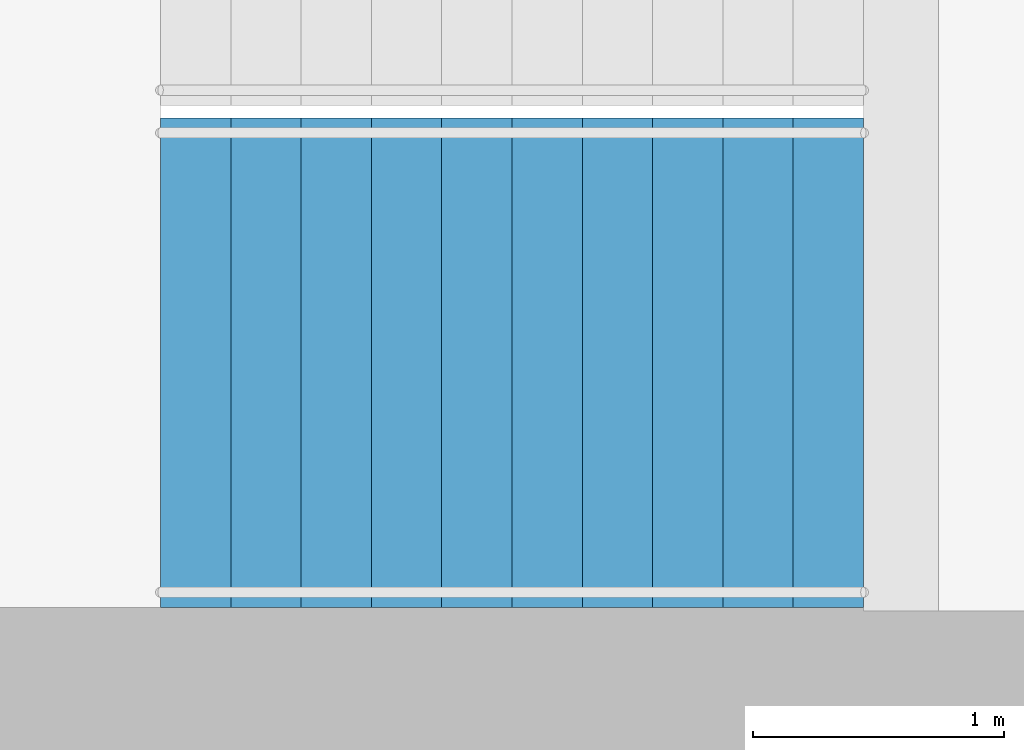
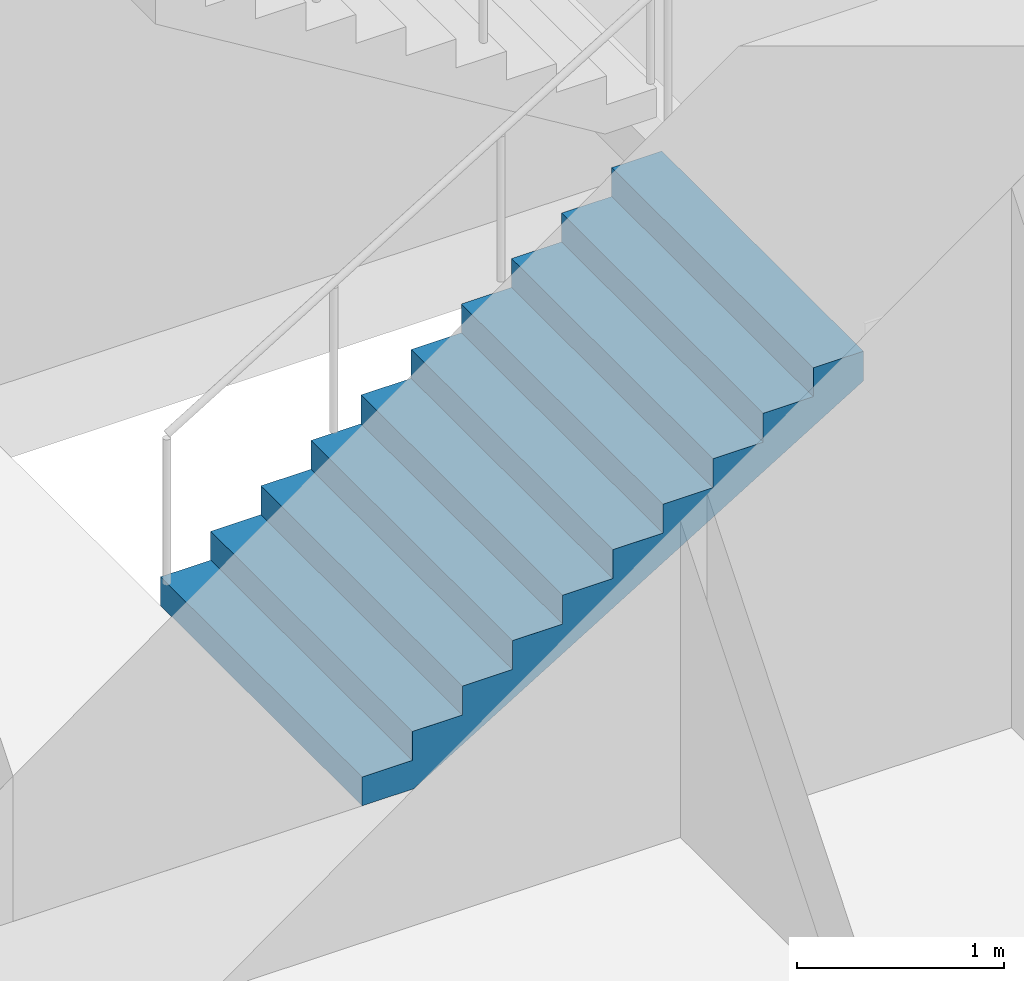
# One storey, part 22 of 28: 1 stair flight, 1 element without a shape of its own.
"""IFC4 building model written with IfcOpenShell, lengths in metres."""

from ifc_helpers import new_model, si_unit, direction, frame, origin, place, context, subcontext, project, spatial, triangles, material, type_object, element, aggregate, save


model = new_model("IFC4")

# Units and contexts
model_context = context("Model", 3, precision=1e-05, world=origin(), true_north=direction((0.0, 1.0)))
body_context = subcontext(model_context, "Body", "Model", "MODEL_VIEW")
ifc_project = project(units=[si_unit("LENGTHUNIT", "METRE"), si_unit("AREAUNIT", "SQUARE_METRE"), si_unit("VOLUMEUNIT", "CUBIC_METRE"), si_unit("PLANEANGLEUNIT", "RADIAN"), si_unit("MASSUNIT", "GRAM", prefix="KILO")], contexts=[model_context])

# Site, building, storey
site_placement = place(None, origin())
site = spatial("IfcSite", under=ifc_project, at=site_placement, CompositionType="ELEMENT")
building_placement = place(site_placement, origin())
building = spatial("IfcBuilding", under=site, at=building_placement, Name="Orbita Commons", CompositionType="ELEMENT")
storey_placement = place(building_placement, frame((0.0, 0.0, 23.949951171875)))
storey = spatial("IfcBuildingStorey", under=building, at=storey_placement, Name="L05", CompositionType="ELEMENT", Elevation=23.949951171875)

# Stair, stair flight
ifc_material_1 = material(Name="Precast concrete C40/50", Category="concrete")
stair_type = type_object("IfcStairType", Name="Exit stair S1 2 flights 11 risers 170", PredefinedType="HALF_TURN_STAIR", material=ifc_material_1)
stair_placement = place(storey_placement, origin())
stair = element("IfcStair", 1, at=stair_placement, inside=storey, type_object=stair_type, Name="Exit stair S1 L05", PredefinedType="HALF_TURN_STAIR")
ifc_material_2 = material(Name="Precast concrete C40/50", Category="concrete")
stair_flight_type = type_object("IfcStairFlightType", Name="Stair flight 11 risers 170 x 280", PredefinedType="STRAIGHT", material=ifc_material_2)
stair_flight_placement = place(storey_placement, frame((20.449951171875, 27.27490234375, 0.0), z_axis=(0.0, 0.0, 1.0), x_axis=(1.0, 0.0, 0.0)))
stair_flight = element("IfcStairFlight", 2, at=stair_flight_placement, type_object=stair_flight_type, Name="S1 flight 1", NumberOfRisers=11, NumberOfTreads=10, PredefinedType="STRAIGHT", RiserHeight=0.170454545, TreadLength=0.28, context=body_context, shape_type="Tessellation", body=[
    triangles([(0.0, 0.974976, 0.0), (0.0, 0.974976, 0.021307), (0.0, 0.81248, 0.021307), (0.0, 0.81248, 0.0), (0.0, 0.649984, 0.021307), (0.0, 0.649984, 0.0), (0.0, 0.487488, 0.021307), (0.0, 0.487488, 0.0), (0.0, 0.324992, 0.021307), (0.0, 0.324992, 0.0), (0.0, 0.162496, 0.021307), (0.0, 0.162496, 0.0), (0.0, 0.0, 0.021307), (0.0, 0.0, 0.0), (0.0, -0.162496, 0.021307), (0.0, -0.162496, 0.0), (0.0, -0.324992, 0.021307), (0.0, -0.324992, 0.0), (0.0, -0.487488, 0.021307), (0.0, -0.487488, 0.0), (0.0, -0.649984, 0.021307), (0.0, -0.649984, 0.0), (0.0, -0.81248, 0.021307), (0.0, -0.81248, 0.0), (0.0, -0.974976, 0.021307), (0.0, -0.974976, 0.0), (0.0, 0.974976, 0.042614), (0.0, 0.81248, 0.042614), (0.0, 0.649984, 0.042614), (0.0, 0.487488, 0.042614), (0.0, 0.324992, 0.042614), (0.0, 0.162496, 0.042614), (0.0, 0.0, 0.042614), (0.0, -0.162496, 0.042614), (0.0, -0.324992, 0.042614), (0.0, -0.487488, 0.042614), (0.0, -0.649984, 0.042614), (0.0, -0.81248, 0.042614), (0.0, -0.974976, 0.042614), (0.0, 0.974976, 0.06392), (0.0, 0.81248, 0.06392), (0.0, 0.649984, 0.06392), (0.0, 0.487488, 0.06392), (0.0, 0.324992, 0.06392), (0.0, 0.162496, 0.06392), (0.0, 0.0, 0.06392), (0.0, -0.162496, 0.06392), (0.0, -0.324992, 0.06392), (0.0, -0.487488, 0.06392), (0.0, -0.649984, 0.06392), (0.0, -0.81248, 0.06392), (0.0, -0.974976, 0.06392), (0.0, 0.974976, 0.085227), (0.0, 0.81248, 0.085227), (0.0, 0.649984, 0.085227), (0.0, 0.487488, 0.085227), (0.0, 0.324992, 0.085227), (0.0, 0.162496, 0.085227), (0.0, 0.0, 0.085227), (0.0, -0.162496, 0.085227), (0.0, -0.324992, 0.085227), (0.0, -0.487488, 0.085227), (0.0, -0.649984, 0.085227), (0.0, -0.81248, 0.085227), (0.0, -0.974976, 0.085227), (0.0, 0.974976, 0.106534), (0.0, 0.81248, 0.106534), (0.0, 0.649984, 0.106534), (0.0, 0.487488, 0.106534), (0.0, 0.324992, 0.106534), (0.0, 0.162496, 0.106534), (0.0, 0.0, 0.106534), (0.0, -0.162496, 0.106534), (0.0, -0.324992, 0.106534), (0.0, -0.487488, 0.106534), (0.0, -0.649984, 0.106534), (0.0, -0.81248, 0.106534), (0.0, -0.974976, 0.106534), (0.0, 0.974976, 0.127841), (0.0, 0.81248, 0.127841), (0.0, 0.649984, 0.127841), (0.0, 0.487488, 0.127841), (0.0, 0.324992, 0.127841), (0.0, 0.162496, 0.127841), (0.0, 0.0, 0.127841), (0.0, -0.162496, 0.127841), (0.0, -0.324992, 0.127841), (0.0, -0.487488, 0.127841), (0.0, -0.649984, 0.127841), (0.0, -0.81248, 0.127841), (0.0, -0.974976, 0.127841), (0.0, 0.974976, 0.149148), (0.0, 0.81248, 0.149148), (0.0, 0.649984, 0.149148), (0.0, 0.487488, 0.149148), (0.0, 0.324992, 0.149148), (0.0, 0.162496, 0.149148), (0.0, 0.0, 0.149148), (0.0, -0.162496, 0.149148), (0.0, -0.324992, 0.149148), (0.0, -0.487488, 0.149148), (0.0, -0.649984, 0.149148), (0.0, -0.81248, 0.149148), (0.0, -0.974976, 0.149148), (0.0, 0.974976, 0.170455), (0.0, 0.81248, 0.170455), (0.0, 0.649984, 0.170455), (0.0, 0.487488, 0.170455), (0.0, 0.324992, 0.170455), (0.0, 0.162496, 0.170455), (0.0, 0.0, 0.170455), (0.0, -0.162496, 0.170455), (0.0, -0.324992, 0.170455), (0.0, -0.487488, 0.170455), (0.0, -0.649984, 0.170455), (0.0, -0.81248, 0.170455), (0.0, -0.974976, 0.170455), (0.28, 0.974976, 0.170455), (0.28, 0.81248, 0.170455), (0.28, 0.649984, 0.170455), (0.28, 0.487488, 0.170455), (0.28, 0.324992, 0.170455), (0.28, 0.162496, 0.170455), (0.28, 0.0, 0.170455), (0.28, -0.162496, 0.170455), (0.28, -0.324992, 0.170455), (0.28, -0.487488, 0.170455), (0.28, -0.649984, 0.170455), (0.28, -0.81248, 0.170455), (0.28, -0.974976, 0.170455), (0.28, 0.974976, 0.340909), (0.28, 0.81248, 0.340909), (0.28, 0.649984, 0.340909), (0.28, 0.487488, 0.340909), (0.28, 0.324992, 0.340909), (0.28, 0.162496, 0.340909), (0.28, 0.0, 0.340909), (0.28, -0.162496, 0.340909), (0.28, -0.324992, 0.340909), (0.28, -0.487488, 0.340909), (0.28, -0.649984, 0.340909), (0.28, -0.81248, 0.340909), (0.28, -0.974976, 0.340909), (0.56, 0.974976, 0.340909), (0.56, 0.81248, 0.340909), (0.56, 0.649984, 0.340909), (0.56, 0.487488, 0.340909), (0.56, 0.324992, 0.340909), (0.56, 0.162496, 0.340909), (0.56, 0.0, 0.340909), (0.56, -0.162496, 0.340909), (0.56, -0.324992, 0.340909), (0.56, -0.487488, 0.340909), (0.56, -0.649984, 0.340909), (0.56, -0.81248, 0.340909), (0.56, -0.974976, 0.340909), (0.56, 0.974976, 0.511364), (0.56, 0.81248, 0.511364), (0.56, 0.649984, 0.511364), (0.56, 0.487488, 0.511364), (0.56, 0.324992, 0.511364), (0.56, 0.162496, 0.511364), (0.56, 0.0, 0.511364), (0.56, -0.162496, 0.511364), (0.56, -0.324992, 0.511364), (0.56, -0.487488, 0.511364), (0.56, -0.649984, 0.511364), (0.56, -0.81248, 0.511364), (0.56, -0.974976, 0.511364), (0.84, 0.974976, 0.511364), (0.84, 0.81248, 0.511364), (0.84, 0.649984, 0.511364), (0.84, 0.487488, 0.511364), (0.84, 0.324992, 0.511364), (0.84, 0.162496, 0.511364), (0.84, 0.0, 0.511364), (0.84, -0.162496, 0.511364), (0.84, -0.324992, 0.511364), (0.84, -0.487488, 0.511364), (0.84, -0.649984, 0.511364), (0.84, -0.81248, 0.511364), (0.84, -0.974976, 0.511364), (0.84, 0.974976, 0.681818), (0.84, 0.81248, 0.681818), (0.84, 0.649984, 0.681818), (0.84, 0.487488, 0.681818), (0.84, 0.324992, 0.681818), (0.84, 0.162496, 0.681818), (0.84, 0.0, 0.681818), (0.84, -0.162496, 0.681818), (0.84, -0.324992, 0.681818), (0.84, -0.487488, 0.681818), (0.84, -0.649984, 0.681818), (0.84, -0.81248, 0.681818), (0.84, -0.974976, 0.681818), (1.12, 0.974976, 0.681818), (1.12, 0.81248, 0.681818), (1.12, 0.649984, 0.681818), (1.12, 0.487488, 0.681818), (1.12, 0.324992, 0.681818), (1.12, 0.162496, 0.681818), (1.12, 0.0, 0.681818), (1.12, -0.162496, 0.681818), (1.12, -0.324992, 0.681818), (1.12, -0.487488, 0.681818), (1.12, -0.649984, 0.681818), (1.12, -0.81248, 0.681818), (1.12, -0.974976, 0.681818), (1.12, 0.974976, 0.852273), (1.12, 0.81248, 0.852273), (1.12, 0.649984, 0.852273), (1.12, 0.487488, 0.852273), (1.12, 0.324992, 0.852273), (1.12, 0.162496, 0.852273), (1.12, 0.0, 0.852273), (1.12, -0.162496, 0.852273), (1.12, -0.324992, 0.852273), (1.12, -0.487488, 0.852273), (1.12, -0.649984, 0.852273), (1.12, -0.81248, 0.852273), (1.12, -0.974976, 0.852273), (1.4, 0.974976, 0.852273), (1.4, 0.81248, 0.852273), (1.4, 0.649984, 0.852273), (1.4, 0.487488, 0.852273), (1.4, 0.324992, 0.852273), (1.4, 0.162496, 0.852273), (1.4, 0.0, 0.852273), (1.4, -0.162496, 0.852273), (1.4, -0.324992, 0.852273), (1.4, -0.487488, 0.852273), (1.4, -0.649984, 0.852273), (1.4, -0.81248, 0.852273), (1.4, -0.974976, 0.852273), (1.4, 0.974976, 1.022727), (1.4, 0.81248, 1.022727), (1.4, 0.649984, 1.022727), (1.4, 0.487488, 1.022727), (1.4, 0.324992, 1.022727), (1.4, 0.162496, 1.022727), (1.4, 0.0, 1.022727), (1.4, -0.162496, 1.022727), (1.4, -0.324992, 1.022727), (1.4, -0.487488, 1.022727), (1.4, -0.649984, 1.022727), (1.4, -0.81248, 1.022727), (1.4, -0.974976, 1.022727), (1.68, 0.974976, 1.022727), (1.68, 0.81248, 1.022727), (1.68, 0.649984, 1.022727), (1.68, 0.487488, 1.022727), (1.68, 0.324992, 1.022727), (1.68, 0.162496, 1.022727), (1.68, 0.0, 1.022727), (1.68, -0.162496, 1.022727), (1.68, -0.324992, 1.022727), (1.68, -0.487488, 1.022727), (1.68, -0.649984, 1.022727), (1.68, -0.81248, 1.022727), (1.68, -0.974976, 1.022727), (1.68, 0.974976, 1.193182), (1.68, 0.81248, 1.193182), (1.68, 0.649984, 1.193182), (1.68, 0.487488, 1.193182), (1.68, 0.324992, 1.193182), (1.68, 0.162496, 1.193182), (1.68, 0.0, 1.193182), (1.68, -0.162496, 1.193182), (1.68, -0.324992, 1.193182), (1.68, -0.487488, 1.193182), (1.68, -0.649984, 1.193182), (1.68, -0.81248, 1.193182), (1.68, -0.974976, 1.193182), (1.96, 0.974976, 1.193182), (1.96, 0.81248, 1.193182), (1.96, 0.649984, 1.193182), (1.96, 0.487488, 1.193182), (1.96, 0.324992, 1.193182), (1.96, 0.162496, 1.193182), (1.96, 0.0, 1.193182), (1.96, -0.162496, 1.193182), (1.96, -0.324992, 1.193182), (1.96, -0.487488, 1.193182), (1.96, -0.649984, 1.193182), (1.96, -0.81248, 1.193182), (1.96, -0.974976, 1.193182), (1.96, 0.974976, 1.363636), (1.96, 0.81248, 1.363636), (1.96, 0.649984, 1.363636), (1.96, 0.487488, 1.363636), (1.96, 0.324992, 1.363636), (1.96, 0.162496, 1.363636), (1.96, 0.0, 1.363636), (1.96, -0.162496, 1.363636), (1.96, -0.324992, 1.363636), (1.96, -0.487488, 1.363636), (1.96, -0.649984, 1.363636), (1.96, -0.81248, 1.363636), (1.96, -0.974976, 1.363636), (2.24, 0.974976, 1.363636), (2.24, 0.81248, 1.363636), (2.24, 0.649984, 1.363636), (2.24, 0.487488, 1.363636), (2.24, 0.324992, 1.363636), (2.24, 0.162496, 1.363636), (2.24, 0.0, 1.363636), (2.24, -0.162496, 1.363636), (2.24, -0.324992, 1.363636), (2.24, -0.487488, 1.363636), (2.24, -0.649984, 1.363636), (2.24, -0.81248, 1.363636), (2.24, -0.974976, 1.363636), (2.24, 0.974976, 1.534091), (2.24, 0.81248, 1.534091), (2.24, 0.649984, 1.534091), (2.24, 0.487488, 1.534091), (2.24, 0.324992, 1.534091), (2.24, 0.162496, 1.534091), (2.24, 0.0, 1.534091), (2.24, -0.162496, 1.534091), (2.24, -0.324992, 1.534091), (2.24, -0.487488, 1.534091), (2.24, -0.649984, 1.534091), (2.24, -0.81248, 1.534091), (2.24, -0.974976, 1.534091), (2.52, 0.974976, 1.534091), (2.52, 0.81248, 1.534091), (2.52, 0.649984, 1.534091), (2.52, 0.487488, 1.534091), (2.52, 0.324992, 1.534091), (2.52, 0.162496, 1.534091), (2.52, 0.0, 1.534091), (2.52, -0.162496, 1.534091), (2.52, -0.324992, 1.534091), (2.52, -0.487488, 1.534091), (2.52, -0.649984, 1.534091), (2.52, -0.81248, 1.534091), (2.52, -0.974976, 1.534091), (2.52, 0.974976, 1.704545), (2.52, 0.81248, 1.704545), (2.52, 0.649984, 1.704545), (2.52, 0.487488, 1.704545), (2.52, 0.324992, 1.704545), (2.52, 0.162496, 1.704545), (2.52, 0.0, 1.704545), (2.52, -0.162496, 1.704545), (2.52, -0.324992, 1.704545), (2.52, -0.487488, 1.704545), (2.52, -0.649984, 1.704545), (2.52, -0.81248, 1.704545), (2.52, -0.974976, 1.704545), (2.8, 0.974976, 1.704545), (2.8, 0.81248, 1.704545), (2.8, 0.649984, 1.704545), (2.8, 0.487488, 1.704545), (2.8, 0.324992, 1.704545), (2.8, 0.162496, 1.704545), (2.8, 0.0, 1.704545), (2.8, -0.162496, 1.704545), (2.8, -0.324992, 1.704545), (2.8, -0.487488, 1.704545), (2.8, -0.649984, 1.704545), (2.8, -0.81248, 1.704545), (2.8, -0.974976, 1.704545), (2.8, 0.974976, 1.682609), (2.8, 0.81248, 1.682609), (2.8, 0.649984, 1.682609), (2.8, 0.487488, 1.682609), (2.8, 0.324992, 1.682609), (2.8, 0.162496, 1.682609), (2.8, 0.0, 1.682609), (2.8, -0.162496, 1.682609), (2.8, -0.324992, 1.682609), (2.8, -0.487488, 1.682609), (2.8, -0.649984, 1.682609), (2.8, -0.81248, 1.682609), (2.8, -0.974976, 1.682609), (2.8, 0.974976, 1.660672), (2.8, 0.81248, 1.660672), (2.8, 0.649984, 1.660672), (2.8, 0.487488, 1.660672), (2.8, 0.324992, 1.660672), (2.8, 0.162496, 1.660672), (2.8, 0.0, 1.660672), (2.8, -0.162496, 1.660672), (2.8, -0.324992, 1.660672), (2.8, -0.487488, 1.660672), (2.8, -0.649984, 1.660672), (2.8, -0.81248, 1.660672), (2.8, -0.974976, 1.660672), (2.8, 0.974976, 1.638735), (2.8, 0.81248, 1.638735), (2.8, 0.649984, 1.638735), (2.8, 0.487488, 1.638735), (2.8, 0.324992, 1.638735), (2.8, 0.162496, 1.638735), (2.8, 0.0, 1.638735), (2.8, -0.162496, 1.638735), (2.8, -0.324992, 1.638735), (2.8, -0.487488, 1.638735), (2.8, -0.649984, 1.638735), (2.8, -0.81248, 1.638735), (2.8, -0.974976, 1.638735), (2.8, 0.974976, 1.616798), (2.8, 0.81248, 1.616798), (2.8, 0.649984, 1.616798), (2.8, 0.487488, 1.616798), (2.8, 0.324992, 1.616798), (2.8, 0.162496, 1.616798), (2.8, 0.0, 1.616798), (2.8, -0.162496, 1.616798), (2.8, -0.324992, 1.616798), (2.8, -0.487488, 1.616798), (2.8, -0.649984, 1.616798), (2.8, -0.81248, 1.616798), (2.8, -0.974976, 1.616798), (2.8, 0.974976, 1.594861), (2.8, 0.81248, 1.594861), (2.8, 0.649984, 1.594861), (2.8, 0.487488, 1.594861), (2.8, 0.324992, 1.594861), (2.8, 0.162496, 1.594861), (2.8, 0.0, 1.594861), (2.8, -0.162496, 1.594861), (2.8, -0.324992, 1.594861), (2.8, -0.487488, 1.594861), (2.8, -0.649984, 1.594861), (2.8, -0.81248, 1.594861), (2.8, -0.974976, 1.594861), (2.8, 0.974976, 1.572925), (2.8, 0.81248, 1.572925), (2.8, 0.649984, 1.572925), (2.8, 0.487488, 1.572925), (2.8, 0.324992, 1.572925), (2.8, 0.162496, 1.572925), (2.8, 0.0, 1.572925), (2.8, -0.162496, 1.572925), (2.8, -0.324992, 1.572925), (2.8, -0.487488, 1.572925), (2.8, -0.649984, 1.572925), (2.8, -0.81248, 1.572925), (2.8, -0.974976, 1.572925), (2.8, 0.974976, 1.550988), (2.8, 0.81248, 1.550988), (2.8, 0.649984, 1.550988), (2.8, 0.487488, 1.550988), (2.8, 0.324992, 1.550988), (2.8, 0.162496, 1.550988), (2.8, 0.0, 1.550988), (2.8, -0.162496, 1.550988), (2.8, -0.324992, 1.550988), (2.8, -0.487488, 1.550988), (2.8, -0.649984, 1.550988), (2.8, -0.81248, 1.550988), (2.8, -0.974976, 1.550988), (2.8, 0.974976, 1.529051), (2.8, 0.81248, 1.529051), (2.8, 0.649984, 1.529051), (2.8, 0.487488, 1.529051), (2.8, 0.324992, 1.529051), (2.8, 0.162496, 1.529051), (2.8, 0.0, 1.529051), (2.8, -0.162496, 1.529051), (2.8, -0.324992, 1.529051), (2.8, -0.487488, 1.529051), (2.8, -0.649984, 1.529051), (2.8, -0.81248, 1.529051), (2.8, -0.974976, 1.529051), (0.288279, 0.974976, 0.0), (0.288279, 0.81248, 0.0), (0.288279, 0.649984, 0.0), (0.288279, 0.487488, 0.0), (0.288279, 0.324992, 0.0), (0.288279, 0.162496, 0.0), (0.288279, 0.0, 0.0), (0.288279, -0.162496, 0.0), (0.288279, -0.324992, 0.0), (0.288279, -0.487488, 0.0), (0.288279, -0.649984, 0.0), (0.288279, -0.81248, 0.0), (0.288279, -0.974976, 0.0)], [[3, 2, 1], [4, 3, 1], [5, 3, 4], [6, 5, 4], [7, 5, 6], [8, 7, 6], [9, 7, 8], [10, 9, 8], [11, 9, 10], [12, 11, 10], [13, 11, 12], [14, 13, 12], [15, 13, 14], [16, 15, 14], [17, 15, 16], [18, 17, 16], [19, 17, 18], [20, 19, 18], [21, 19, 20], [22, 21, 20], [23, 21, 22], [24, 23, 22], [25, 23, 24], [26, 25, 24], [28, 27, 2], [3, 28, 2], [29, 28, 3], [5, 29, 3], [30, 29, 5], [7, 30, 5], [31, 30, 7], [9, 31, 7], [32, 31, 9], [11, 32, 9], [33, 32, 11], [13, 33, 11], [34, 33, 13], [15, 34, 13], [35, 34, 15], [17, 35, 15], [36, 35, 17], [19, 36, 17], [37, 36, 19], [21, 37, 19], [38, 37, 21], [23, 38, 21], [39, 38, 23], [25, 39, 23], [41, 40, 27], [28, 41, 27], [42, 41, 28], [29, 42, 28], [43, 42, 29], [30, 43, 29], [44, 43, 30], [31, 44, 30], [45, 44, 31], [32, 45, 31], [46, 45, 32], [33, 46, 32], [47, 46, 33], [34, 47, 33], [48, 47, 34], [35, 48, 34], [49, 48, 35], [36, 49, 35], [50, 49, 36], [37, 50, 36], [51, 50, 37], [38, 51, 37], [52, 51, 38], [39, 52, 38], [54, 53, 40], [41, 54, 40], [55, 54, 41], [42, 55, 41], [56, 55, 42], [43, 56, 42], [57, 56, 43], [44, 57, 43], [58, 57, 44], [45, 58, 44], [59, 58, 45], [46, 59, 45], [60, 59, 46], [47, 60, 46], [61, 60, 47], [48, 61, 47], [62, 61, 48], [49, 62, 48], [63, 62, 49], [50, 63, 49], [64, 63, 50], [51, 64, 50], [65, 64, 51], [52, 65, 51], [67, 66, 53], [54, 67, 53], [68, 67, 54], [55, 68, 54], [69, 68, 55], [56, 69, 55], [70, 69, 56], [57, 70, 56], [71, 70, 57], [58, 71, 57], [72, 71, 58], [59, 72, 58], [73, 72, 59], [60, 73, 59], [74, 73, 60], [61, 74, 60], [75, 74, 61], [62, 75, 61], [76, 75, 62], [63, 76, 62], [77, 76, 63], [64, 77, 63], [78, 77, 64], [65, 78, 64], [80, 79, 66], [67, 80, 66], [81, 80, 67], [68, 81, 67], [82, 81, 68], [69, 82, 68], [83, 82, 69], [70, 83, 69], [84, 83, 70], [71, 84, 70], [85, 84, 71], [72, 85, 71], [86, 85, 72], [73, 86, 72], [87, 86, 73], [74, 87, 73], [88, 87, 74], [75, 88, 74], [89, 88, 75], [76, 89, 75], [90, 89, 76], [77, 90, 76], [91, 90, 77], [78, 91, 77], [93, 92, 79], [80, 93, 79], [94, 93, 80], [81, 94, 80], [95, 94, 81], [82, 95, 81], [96, 95, 82], [83, 96, 82], [97, 96, 83], [84, 97, 83], [98, 97, 84], [85, 98, 84], [99, 98, 85], [86, 99, 85], [100, 99, 86], [87, 100, 86], [101, 100, 87], [88, 101, 87], [102, 101, 88], [89, 102, 88], [103, 102, 89], [90, 103, 89], [104, 103, 90], [91, 104, 90], [106, 105, 92], [93, 106, 92], [107, 106, 93], [94, 107, 93], [108, 107, 94], [95, 108, 94], [109, 108, 95], [96, 109, 95], [110, 109, 96], [97, 110, 96], [111, 110, 97], [98, 111, 97], [112, 111, 98], [99, 112, 98], [113, 112, 99], [100, 113, 99], [114, 113, 100], [101, 114, 100], [115, 114, 101], [102, 115, 101], [116, 115, 102], [103, 116, 102], [117, 116, 103], [104, 117, 103], [119, 118, 105], [106, 119, 105], [120, 119, 106], [107, 120, 106], [121, 120, 107], [108, 121, 107], [122, 121, 108], [109, 122, 108], [123, 122, 109], [110, 123, 109], [124, 123, 110], [111, 124, 110], [125, 124, 111], [112, 125, 111], [126, 125, 112], [113, 126, 112], [127, 126, 113], [114, 127, 113], [128, 127, 114], [115, 128, 114], [129, 128, 115], [116, 129, 115], [130, 129, 116], [117, 130, 116], [132, 131, 118], [119, 132, 118], [133, 132, 119], [120, 133, 119], [134, 133, 120], [121, 134, 120], [135, 134, 121], [122, 135, 121], [136, 135, 122], [123, 136, 122], [137, 136, 123], [124, 137, 123], [138, 137, 124], [125, 138, 124], [139, 138, 125], [126, 139, 125], [140, 139, 126], [127, 140, 126], [141, 140, 127], [128, 141, 127], [142, 141, 128], [129, 142, 128], [143, 142, 129], [130, 143, 129], [145, 144, 131], [132, 145, 131], [146, 145, 132], [133, 146, 132], [147, 146, 133], [134, 147, 133], [148, 147, 134], [135, 148, 134], [149, 148, 135], [136, 149, 135], [150, 149, 136], [137, 150, 136], [151, 150, 137], [138, 151, 137], [152, 151, 138], [139, 152, 138], [153, 152, 139], [140, 153, 139], [154, 153, 140], [141, 154, 140], [155, 154, 141], [142, 155, 141], [156, 155, 142], [143, 156, 142], [158, 157, 144], [145, 158, 144], [159, 158, 145], [146, 159, 145], [160, 159, 146], [147, 160, 146], [161, 160, 147], [148, 161, 147], [162, 161, 148], [149, 162, 148], [163, 162, 149], [150, 163, 149], [164, 163, 150], [151, 164, 150], [165, 164, 151], [152, 165, 151], [166, 165, 152], [153, 166, 152], [167, 166, 153], [154, 167, 153], [168, 167, 154], [155, 168, 154], [169, 168, 155], [156, 169, 155], [171, 170, 157], [158, 171, 157], [172, 171, 158], [159, 172, 158], [173, 172, 159], [160, 173, 159], [174, 173, 160], [161, 174, 160], [175, 174, 161], [162, 175, 161], [176, 175, 162], [163, 176, 162], [177, 176, 163], [164, 177, 163], [178, 177, 164], [165, 178, 164], [179, 178, 165], [166, 179, 165], [180, 179, 166], [167, 180, 166], [181, 180, 167], [168, 181, 167], [182, 181, 168], [169, 182, 168], [184, 183, 170], [171, 184, 170], [185, 184, 171], [172, 185, 171], [186, 185, 172], [173, 186, 172], [187, 186, 173], [174, 187, 173], [188, 187, 174], [175, 188, 174], [189, 188, 175], [176, 189, 175], [190, 189, 176], [177, 190, 176], [191, 190, 177], [178, 191, 177], [192, 191, 178], [179, 192, 178], [193, 192, 179], [180, 193, 179], [194, 193, 180], [181, 194, 180], [195, 194, 181], [182, 195, 181], [197, 196, 183], [184, 197, 183], [198, 197, 184], [185, 198, 184], [199, 198, 185], [186, 199, 185], [200, 199, 186], [187, 200, 186], [201, 200, 187], [188, 201, 187], [202, 201, 188], [189, 202, 188], [203, 202, 189], [190, 203, 189], [204, 203, 190], [191, 204, 190], [205, 204, 191], [192, 205, 191], [206, 205, 192], [193, 206, 192], [207, 206, 193], [194, 207, 193], [208, 207, 194], [195, 208, 194], [210, 209, 196], [197, 210, 196], [211, 210, 197], [198, 211, 197], [212, 211, 198], [199, 212, 198], [213, 212, 199], [200, 213, 199], [214, 213, 200], [201, 214, 200], [215, 214, 201], [202, 215, 201], [216, 215, 202], [203, 216, 202], [217, 216, 203], [204, 217, 203], [218, 217, 204], [205, 218, 204], [219, 218, 205], [206, 219, 205], [220, 219, 206], [207, 220, 206], [221, 220, 207], [208, 221, 207], [223, 222, 209], [210, 223, 209], [224, 223, 210], [211, 224, 210], [225, 224, 211], [212, 225, 211], [226, 225, 212], [213, 226, 212], [227, 226, 213], [214, 227, 213], [228, 227, 214], [215, 228, 214], [229, 228, 215], [216, 229, 215], [230, 229, 216], [217, 230, 216], [231, 230, 217], [218, 231, 217], [232, 231, 218], [219, 232, 218], [233, 232, 219], [220, 233, 219], [234, 233, 220], [221, 234, 220], [236, 235, 222], [223, 236, 222], [237, 236, 223], [224, 237, 223], [238, 237, 224], [225, 238, 224], [239, 238, 225], [226, 239, 225], [240, 239, 226], [227, 240, 226], [241, 240, 227], [228, 241, 227], [242, 241, 228], [229, 242, 228], [243, 242, 229], [230, 243, 229], [244, 243, 230], [231, 244, 230], [245, 244, 231], [232, 245, 231], [246, 245, 232], [233, 246, 232], [247, 246, 233], [234, 247, 233], [249, 248, 235], [236, 249, 235], [250, 249, 236], [237, 250, 236], [251, 250, 237], [238, 251, 237], [252, 251, 238], [239, 252, 238], [253, 252, 239], [240, 253, 239], [254, 253, 240], [241, 254, 240], [255, 254, 241], [242, 255, 241], [256, 255, 242], [243, 256, 242], [257, 256, 243], [244, 257, 243], [258, 257, 244], [245, 258, 244], [259, 258, 245], [246, 259, 245], [260, 259, 246], [247, 260, 246], [262, 261, 248], [249, 262, 248], [263, 262, 249], [250, 263, 249], [264, 263, 250], [251, 264, 250], [265, 264, 251], [252, 265, 251], [266, 265, 252], [253, 266, 252], [267, 266, 253], [254, 267, 253], [268, 267, 254], [255, 268, 254], [269, 268, 255], [256, 269, 255], [270, 269, 256], [257, 270, 256], [271, 270, 257], [258, 271, 257], [272, 271, 258], [259, 272, 258], [273, 272, 259], [260, 273, 259], [275, 274, 261], [262, 275, 261], [276, 275, 262], [263, 276, 262], [277, 276, 263], [264, 277, 263], [278, 277, 264], [265, 278, 264], [279, 278, 265], [266, 279, 265], [280, 279, 266], [267, 280, 266], [281, 280, 267], [268, 281, 267], [282, 281, 268], [269, 282, 268], [283, 282, 269], [270, 283, 269], [284, 283, 270], [271, 284, 270], [285, 284, 271], [272, 285, 271], [286, 285, 272], [273, 286, 272], [288, 287, 274], [275, 288, 274], [289, 288, 275], [276, 289, 275], [290, 289, 276], [277, 290, 276], [291, 290, 277], [278, 291, 277], [292, 291, 278], [279, 292, 278], [293, 292, 279], [280, 293, 279], [294, 293, 280], [281, 294, 280], [295, 294, 281], [282, 295, 281], [296, 295, 282], [283, 296, 282], [297, 296, 283], [284, 297, 283], [298, 297, 284], [285, 298, 284], [299, 298, 285], [286, 299, 285], [301, 300, 287], [288, 301, 287], [302, 301, 288], [289, 302, 288], [303, 302, 289], [290, 303, 289], [304, 303, 290], [291, 304, 290], [305, 304, 291], [292, 305, 291], [306, 305, 292], [293, 306, 292], [307, 306, 293], [294, 307, 293], [308, 307, 294], [295, 308, 294], [309, 308, 295], [296, 309, 295], [310, 309, 296], [297, 310, 296], [311, 310, 297], [298, 311, 297], [312, 311, 298], [299, 312, 298], [314, 313, 300], [301, 314, 300], [315, 314, 301], [302, 315, 301], [316, 315, 302], [303, 316, 302], [317, 316, 303], [304, 317, 303], [318, 317, 304], [305, 318, 304], [319, 318, 305], [306, 319, 305], [320, 319, 306], [307, 320, 306], [321, 320, 307], [308, 321, 307], [322, 321, 308], [309, 322, 308], [323, 322, 309], [310, 323, 309], [324, 323, 310], [311, 324, 310], [325, 324, 311], [312, 325, 311], [327, 326, 313], [314, 327, 313], [328, 327, 314], [315, 328, 314], [329, 328, 315], [316, 329, 315], [330, 329, 316], [317, 330, 316], [331, 330, 317], [318, 331, 317], [332, 331, 318], [319, 332, 318], [333, 332, 319], [320, 333, 319], [334, 333, 320], [321, 334, 320], [335, 334, 321], [322, 335, 321], [336, 335, 322], [323, 336, 322], [337, 336, 323], [324, 337, 323], [338, 337, 324], [325, 338, 324], [340, 339, 326], [327, 340, 326], [341, 340, 327], [328, 341, 327], [342, 341, 328], [329, 342, 328], [343, 342, 329], [330, 343, 329], [344, 343, 330], [331, 344, 330], [345, 344, 331], [332, 345, 331], [346, 345, 332], [333, 346, 332], [347, 346, 333], [334, 347, 333], [348, 347, 334], [335, 348, 334], [349, 348, 335], [336, 349, 335], [350, 349, 336], [337, 350, 336], [351, 350, 337], [338, 351, 337], [353, 352, 339], [340, 353, 339], [354, 353, 340], [341, 354, 340], [355, 354, 341], [342, 355, 341], [356, 355, 342], [343, 356, 342], [357, 356, 343], [344, 357, 343], [358, 357, 344], [345, 358, 344], [359, 358, 345], [346, 359, 345], [360, 359, 346], [347, 360, 346], [361, 360, 347], [348, 361, 347], [362, 361, 348], [349, 362, 348], [363, 362, 349], [350, 363, 349], [364, 363, 350], [351, 364, 350], [366, 365, 352], [353, 366, 352], [367, 366, 353], [354, 367, 353], [368, 367, 354], [355, 368, 354], [369, 368, 355], [356, 369, 355], [370, 369, 356], [357, 370, 356], [371, 370, 357], [358, 371, 357], [372, 371, 358], [359, 372, 358], [373, 372, 359], [360, 373, 359], [374, 373, 360], [361, 374, 360], [375, 374, 361], [362, 375, 361], [376, 375, 362], [363, 376, 362], [377, 376, 363], [364, 377, 363], [379, 378, 365], [366, 379, 365], [380, 379, 366], [367, 380, 366], [381, 380, 367], [368, 381, 367], [382, 381, 368], [369, 382, 368], [383, 382, 369], [370, 383, 369], [384, 383, 370], [371, 384, 370], [385, 384, 371], [372, 385, 371], [386, 385, 372], [373, 386, 372], [387, 386, 373], [374, 387, 373], [388, 387, 374], [375, 388, 374], [389, 388, 375], [376, 389, 375], [390, 389, 376], [377, 390, 376], [392, 391, 378], [379, 392, 378], [393, 392, 379], [380, 393, 379], [394, 393, 380], [381, 394, 380], [395, 394, 381], [382, 395, 381], [396, 395, 382], [383, 396, 382], [397, 396, 383], [384, 397, 383], [398, 397, 384], [385, 398, 384], [399, 398, 385], [386, 399, 385], [400, 399, 386], [387, 400, 386], [401, 400, 387], [388, 401, 387], [402, 401, 388], [389, 402, 388], [403, 402, 389], [390, 403, 389], [405, 404, 391], [392, 405, 391], [406, 405, 392], [393, 406, 392], [407, 406, 393], [394, 407, 393], [408, 407, 394], [395, 408, 394], [409, 408, 395], [396, 409, 395], [410, 409, 396], [397, 410, 396], [411, 410, 397], [398, 411, 397], [412, 411, 398], [399, 412, 398], [413, 412, 399], [400, 413, 399], [414, 413, 400], [401, 414, 400], [415, 414, 401], [402, 415, 401], [416, 415, 402], [403, 416, 402], [418, 417, 404], [405, 418, 404], [419, 418, 405], [406, 419, 405], [420, 419, 406], [407, 420, 406], [421, 420, 407], [408, 421, 407], [422, 421, 408], [409, 422, 408], [423, 422, 409], [410, 423, 409], [424, 423, 410], [411, 424, 410], [425, 424, 411], [412, 425, 411], [426, 425, 412], [413, 426, 412], [427, 426, 413], [414, 427, 413], [428, 427, 414], [415, 428, 414], [429, 428, 415], [416, 429, 415], [431, 430, 417], [418, 431, 417], [432, 431, 418], [419, 432, 418], [433, 432, 419], [420, 433, 419], [434, 433, 420], [421, 434, 420], [435, 434, 421], [422, 435, 421], [436, 435, 422], [423, 436, 422], [437, 436, 423], [424, 437, 423], [438, 437, 424], [425, 438, 424], [439, 438, 425], [426, 439, 425], [440, 439, 426], [427, 440, 426], [441, 440, 427], [428, 441, 427], [442, 441, 428], [429, 442, 428], [444, 443, 430], [431, 444, 430], [445, 444, 431], [432, 445, 431], [446, 445, 432], [433, 446, 432], [447, 446, 433], [434, 447, 433], [448, 447, 434], [435, 448, 434], [449, 448, 435], [436, 449, 435], [450, 449, 436], [437, 450, 436], [451, 450, 437], [438, 451, 437], [452, 451, 438], [439, 452, 438], [453, 452, 439], [440, 453, 439], [454, 453, 440], [441, 454, 440], [455, 454, 441], [442, 455, 441], [457, 456, 443], [444, 457, 443], [458, 457, 444], [445, 458, 444], [459, 458, 445], [446, 459, 445], [460, 459, 446], [447, 460, 446], [461, 460, 447], [448, 461, 447], [462, 461, 448], [449, 462, 448], [463, 462, 449], [450, 463, 449], [464, 463, 450], [451, 464, 450], [465, 464, 451], [452, 465, 451], [466, 465, 452], [453, 466, 452], [467, 466, 453], [454, 467, 453], [468, 467, 454], [455, 468, 454], [470, 469, 456], [457, 470, 456], [471, 470, 457], [458, 471, 457], [472, 471, 458], [459, 472, 458], [473, 472, 459], [460, 473, 459], [474, 473, 460], [461, 474, 460], [475, 474, 461], [462, 475, 461], [476, 475, 462], [463, 476, 462], [477, 476, 463], [464, 477, 463], [478, 477, 464], [465, 478, 464], [479, 478, 465], [466, 479, 465], [480, 479, 466], [467, 480, 466], [481, 480, 467], [468, 481, 467], [4, 1, 469], [470, 4, 469], [6, 4, 470], [471, 6, 470], [8, 6, 471], [472, 8, 471], [10, 8, 472], [473, 10, 472], [12, 10, 473], [474, 12, 473], [14, 12, 474], [475, 14, 474], [16, 14, 475], [476, 16, 475], [18, 16, 476], [477, 18, 476], [20, 18, 477], [478, 20, 477], [22, 20, 478], [479, 22, 478], [24, 22, 479], [480, 24, 479], [26, 24, 480], [481, 26, 480], [456, 469, 1], [26, 481, 468], [443, 456, 1], [26, 468, 455], [430, 443, 1], [26, 455, 442], [417, 430, 1], [26, 442, 429], [404, 417, 1], [26, 429, 416], [391, 404, 1], [26, 416, 403], [378, 391, 1], [26, 403, 390], [365, 378, 1], [26, 390, 377], [339, 352, 365], [377, 364, 351], [326, 339, 365], [377, 351, 338], [300, 313, 326], [338, 325, 312], [300, 326, 365], [377, 338, 312], [274, 287, 300], [312, 299, 286], [274, 300, 365], [377, 312, 286], [248, 261, 274], [286, 273, 260], [248, 274, 365], [377, 286, 260], [222, 235, 248], [260, 247, 234], [222, 248, 365], [377, 260, 234], [196, 209, 222], [234, 221, 208], [196, 222, 365], [377, 234, 208], [170, 183, 196], [208, 195, 182], [170, 196, 365], [377, 208, 182], [144, 157, 170], [182, 169, 156], [144, 170, 365], [377, 182, 156], [118, 131, 144], [156, 143, 130], [118, 144, 365], [377, 156, 130], [118, 365, 1], [26, 377, 130], [92, 105, 118], [130, 117, 104], [79, 92, 118], [130, 104, 91], [66, 79, 118], [130, 91, 78], [53, 66, 118], [130, 78, 65], [40, 53, 118], [130, 65, 52], [27, 40, 118], [130, 52, 39], [2, 27, 118], [130, 39, 25], [1, 2, 118], [130, 25, 26]], closed=True),
])
aggregate(stair, [stair_flight])

save(model, "model.ifc")
